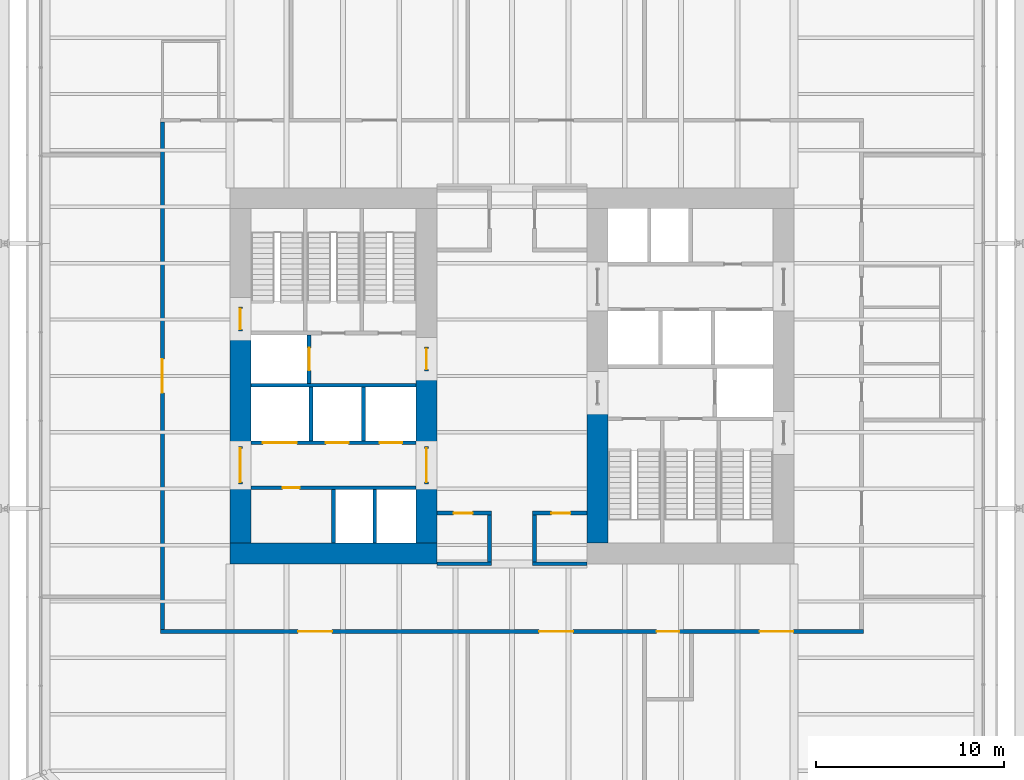
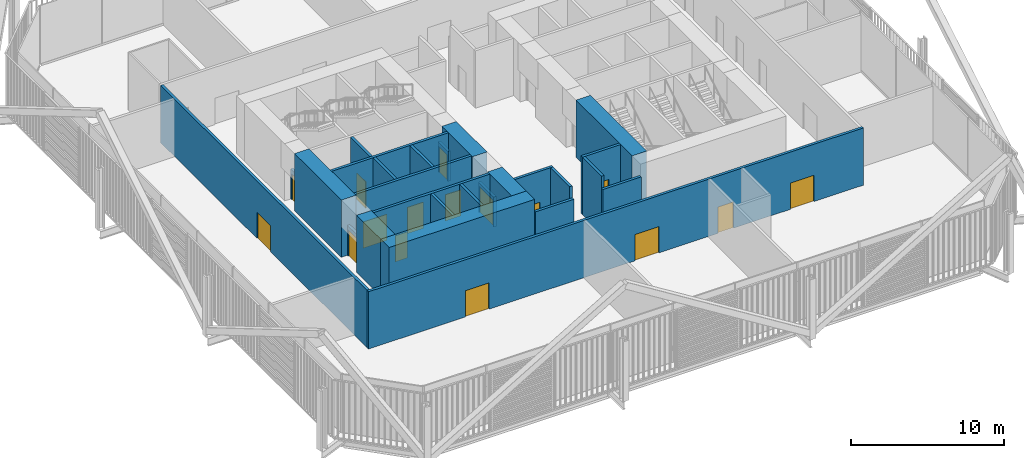
# One storey, part 18 of 22: 26 walls, 16 doors, 16 openings.
"""IFC4 building model written with IfcOpenShell, lengths in metres."""

from ifc_helpers import new_model, si_unit, direction, frame, frame_2d, origin, place, context, subcontext, project, spatial, rectangle, extrude, material, layer, layer_set, type_object, element, fill, save


model = new_model("IFC4")

# Units and contexts
model_context = context("Model", 3, precision=1e-05, world=origin(), true_north=direction((0.0, 1.0)))
body_context = subcontext(model_context, "Body", "Model", "MODEL_VIEW")
ifc_project = project(units=[si_unit("LENGTHUNIT", "METRE"), si_unit("AREAUNIT", "SQUARE_METRE"), si_unit("VOLUMEUNIT", "CUBIC_METRE"), si_unit("PLANEANGLEUNIT", "RADIAN"), si_unit("MASSUNIT", "GRAM", prefix="KILO")], contexts=[model_context])

# Site, building, storey
site_placement = place(None, origin())
site = spatial("IfcSite", under=ifc_project, at=site_placement, CompositionType="ELEMENT")
building_placement = place(site_placement, origin())
building = spatial("IfcBuilding", under=site, at=building_placement, Name="Millrace Tower", CompositionType="ELEMENT")
storey_placement = place(building_placement, frame((0.0, 0.0, 44.89990234375)))
storey = spatial("IfcBuildingStorey", under=building, at=storey_placement, Name="L10", CompositionType="ELEMENT", Elevation=44.89990234375)

# Walls
ifc_material_1 = material(Name="Concrete C80", Category="concrete")
ifc_layer_1 = layer(ifc_material_1, 1.10009765625)
ifc_layer_set_1 = layer_set([ifc_layer_1], Name="Concrete C80")
wall_type_1 = type_object("IfcWallType", Name="Core wall 1100 Concrete C80", PredefinedType="SHEAR", material=ifc_layer_set_1)
wall_1_placement = place(storey_placement, frame((-15.0, -9.449951171875, 0.0), z_axis=(0.0, 0.0, 1.0), x_axis=(1.0, 0.0, 0.0)))
element("IfcWall", 1, at=wall_1_placement, inside=storey, type_object=wall_type_1, Name="Core wall W L10", PredefinedType="SHEAR", context=body_context, shape_type="SweptSolid", body=[
    extrude(rectangle(XDim=11.0, YDim=1.10009765625, at=frame_2d((5.5, 0.0))), origin(), (0.0, 0.0, 1.0), 4.5751953125),
])
wall_2_placement = place(storey_placement, frame((-14.449951171875, -8.89990234375, 0.0), z_axis=(0.0, 0.0, 1.0), x_axis=(0.0, 1.0, 0.0)))
element("IfcWall", 2, at=wall_2_placement, inside=storey, type_object=wall_type_1, Name="Core wall W L10", PredefinedType="SHEAR", context=body_context, shape_type="SweptSolid", body=[
    extrude(rectangle(XDim=3.14990234375, YDim=1.10009765625, at=frame_2d((1.574951171875, 0.0))), origin(), (0.0, 0.0, 1.0), 4.5751953125),
])
wall_3_placement = place(storey_placement, frame((-14.449951171875, -3.75, 0.0), z_axis=(0.0, 0.0, 1.0), x_axis=(0.0, 1.0, 0.0)))
element("IfcWall", 3, at=wall_3_placement, inside=storey, type_object=wall_type_1, Name="Core wall W L10", PredefinedType="SHEAR", context=body_context, shape_type="SweptSolid", body=[
    extrude(rectangle(XDim=6.1298828125, YDim=1.10009765625, at=frame_2d((3.06494140625, 0.0))), origin(), (0.0, 0.0, 1.0), 4.5751953125),
])
wall_4_placement = place(storey_placement, frame((-4.550048828125, -8.89990234375, 0.0), z_axis=(0.0, 0.0, 1.0), x_axis=(0.0, 1.0, 0.0)))
element("IfcWall", 4, at=wall_4_placement, inside=storey, type_object=wall_type_1, Name="Core wall W L10", PredefinedType="SHEAR", context=body_context, shape_type="SweptSolid", body=[
    extrude(rectangle(XDim=3.14990234375, YDim=1.10009765625, at=frame_2d((1.574951171875, 0.0))), origin(), (0.0, 0.0, 1.0), 4.5751953125),
])
wall_5_placement = place(storey_placement, frame((-4.550048828125, -3.75, 0.0), z_axis=(0.0, 0.0, 1.0), x_axis=(0.0, 1.0, 0.0)))
element("IfcWall", 5, at=wall_5_placement, inside=storey, type_object=wall_type_1, Name="Core wall W L10", PredefinedType="SHEAR", context=body_context, shape_type="SweptSolid", body=[
    extrude(rectangle(XDim=4.0, YDim=1.10009765625, at=frame_2d((2.0, 0.0))), origin(), (0.0, 0.0, 1.0), 4.5751953125),
])
wall_6_placement = place(storey_placement, frame((4.550048828125, -1.550048828125, 0.0), z_axis=(0.0, 0.0, 1.0), x_axis=(0.0, -1.0, 0.0)))
element("IfcWall", 6, at=wall_6_placement, inside=storey, type_object=wall_type_1, Name="Core wall E L10", PredefinedType="SHEAR", context=body_context, shape_type="SweptSolid", body=[
    extrude(rectangle(XDim=7.349853515625, YDim=1.10009765625, at=frame_2d((3.6748046875, 0.0))), origin(), (0.0, 0.0, 1.0), 4.5751953125),
])

# Wall, openings, doors
ifc_material_2 = material(Name="Masonry partition, fire-rated", Category="masonry")
ifc_layer_2 = layer(ifc_material_2, 0.199951171875)
ifc_layer_set_2 = layer_set([ifc_layer_2], Name="Masonry partition, fire-rated")
wall_type_2 = type_object("IfcWallType", Name="Corridor wall 200", PredefinedType="PARTITIONING", material=ifc_layer_set_2)
wall_7_placement = place(storey_placement, frame((-18.699951171875, -13.60009765625, 0.0), z_axis=(0.0, 0.0, 1.0), x_axis=(1.0, 0.0, 0.0)))
wall_7 = element("IfcWall", 7, at=wall_7_placement, inside=storey, type_object=wall_type_2, Name="Corridor wall L10", PredefinedType="PARTITIONING", context=body_context, shape_type="SweptSolid", body=[
    extrude(rectangle(XDim=37.39990234375, YDim=0.199951171875, at=frame_2d((18.699951171875, 0.0))), origin(), (0.0, 0.0, 1.0), 4.5751953125),
])
opening_1_placement = place(wall_7_placement, frame((7.324951171875, 0.0, 0.0)))
opening_1 = element("IfcOpeningElement", 8, at=opening_1_placement, cuts=wall_7, Name="Opening 10-P005", PredefinedType="OPENING", context=body_context, shape_type="SweptSolid", body=[
    extrude(rectangle(XDim=1.800048828125, YDim=2.10009765625, at=frame_2d((0.89990234375, 1.050048828125))), frame((0.0, 0.10986328125, 0.0), z_axis=(0.0, -1.0, 0.0), x_axis=(1.0, 0.0, 0.0)), (0.0, 0.0, 1.0), 0.219970703125),
])
opening_2_placement = place(wall_7_placement, frame((20.14990234375, 0.0, 0.0)))
opening_2 = element("IfcOpeningElement", 9, at=opening_2_placement, cuts=wall_7, Name="Opening 10-P006", PredefinedType="OPENING", context=body_context, shape_type="SweptSolid", body=[
    extrude(rectangle(XDim=1.800048828125, YDim=2.10009765625, at=frame_2d((0.89990234375, 1.050048828125))), frame((0.0, 0.10986328125, 0.0), z_axis=(0.0, -1.0, 0.0), x_axis=(1.0, 0.0, 0.0)), (0.0, 0.0, 1.0), 0.219970703125),
])
opening_3_placement = place(wall_7_placement, frame((31.875, 0.0, 0.0)))
opening_3 = element("IfcOpeningElement", 10, at=opening_3_placement, cuts=wall_7, Name="Opening 10-P007", PredefinedType="OPENING", context=body_context, shape_type="SweptSolid", body=[
    extrude(rectangle(XDim=1.800048828125, YDim=2.10009765625, at=frame_2d((0.89990234375, 1.050048828125))), frame((0.0, 0.10986328125, 0.0), z_axis=(0.0, -1.0, 0.0), x_axis=(1.0, 0.0, 0.0)), (0.0, 0.0, 1.0), 0.219970703125),
])
opening_4_placement = place(wall_7_placement, frame((26.39990234375, 0.0, 0.0)))
opening_4 = element("IfcOpeningElement", 11, at=opening_4_placement, cuts=wall_7, Name="Opening 10-P008", PredefinedType="OPENING", context=body_context, shape_type="SweptSolid", body=[
    extrude(rectangle(XDim=1.199951171875, YDim=2.10009765625, at=frame_2d((0.60009765625, 1.050048828125))), frame((0.0, 0.10986328125, 0.0), z_axis=(0.0, -1.0, 0.0), x_axis=(1.0, 0.0, 0.0)), (0.0, 0.0, 1.0), 0.219970703125),
])
ifc_material_3 = material(Name="Steel door set, fire-rated", Category="steel")
door_type_1 = type_object("IfcDoorType", Name="Corridor door 1200 x 2100", OperationType="SINGLE_SWING_LEFT", PredefinedType="DOOR", material=ifc_material_3)
door_1_placement = place(opening_4_placement, frame((1.199951171875, 0.0, 0.0), z_axis=(0.0, 0.0, 1.0), x_axis=(-1.0, 0.0, 0.0)))
door_1 = element("IfcDoor", 12, at=door_1_placement, inside=storey, type_object=door_type_1, Name="Door 10-P008", OperationType="SINGLE_SWING_LEFT", OverallHeight=2.10009765625, OverallWidth=1.199951171875, PredefinedType="DOOR", context=body_context, shape_type="SweptSolid", body=[
    extrude(rectangle(XDim=1.199951171875, YDim=2.10009765625, at=frame_2d((0.60009765625, 1.050048828125))), frame((0.0, 0.02490234375, 0.0), z_axis=(0.0, -1.0, 0.0), x_axis=(1.0, 0.0, 0.0)), (0.0, 0.0, 1.0), 0.050048828125),
])
fill(opening_4, door_1)
ifc_material_4 = material(Name="Steel door set, fire-rated", Category="steel")
door_type_2 = type_object("IfcDoorType", Name="Data hall door 1800 x 2100", OperationType="DOUBLE_DOOR_SINGLE_SWING", PredefinedType="DOOR", material=ifc_material_4)
door_2_placement = place(opening_1_placement, frame((1.800048828125, 0.0, 0.0), z_axis=(0.0, 0.0, 1.0), x_axis=(-1.0, 0.0, 0.0)))
door_2 = element("IfcDoor", 13, at=door_2_placement, inside=storey, type_object=door_type_2, Name="Door 10-P005", OperationType="DOUBLE_DOOR_SINGLE_SWING", OverallHeight=2.10009765625, OverallWidth=1.800048828125, PredefinedType="DOOR", context=body_context, shape_type="SweptSolid", body=[
    extrude(rectangle(XDim=1.800048828125, YDim=2.10009765625, at=frame_2d((0.89990234375, 1.050048828125))), frame((0.0, 0.02490234375, 0.0), z_axis=(0.0, -1.0, 0.0), x_axis=(1.0, 0.0, 0.0)), (0.0, 0.0, 1.0), 0.050048828125),
])
fill(opening_1, door_2)
door_3_placement = place(opening_2_placement, frame((1.800048828125, 0.0, 0.0), z_axis=(0.0, 0.0, 1.0), x_axis=(-1.0, 0.0, 0.0)))
door_3 = element("IfcDoor", 14, at=door_3_placement, inside=storey, type_object=door_type_2, Name="Door 10-P006", OperationType="DOUBLE_DOOR_SINGLE_SWING", OverallHeight=2.10009765625, OverallWidth=1.800048828125, PredefinedType="DOOR", context=body_context, shape_type="SweptSolid", body=[
    extrude(rectangle(XDim=1.800048828125, YDim=2.10009765625, at=frame_2d((0.89990234375, 1.050048828125))), frame((0.0, 0.02490234375, 0.0), z_axis=(0.0, -1.0, 0.0), x_axis=(1.0, 0.0, 0.0)), (0.0, 0.0, 1.0), 0.050048828125),
])
fill(opening_2, door_3)
door_4_placement = place(opening_3_placement, frame((1.800048828125, 0.0, 0.0), z_axis=(0.0, 0.0, 1.0), x_axis=(-1.0, 0.0, 0.0)))
door_4 = element("IfcDoor", 15, at=door_4_placement, inside=storey, type_object=door_type_2, Name="Door 10-P007", OperationType="DOUBLE_DOOR_SINGLE_SWING", OverallHeight=2.10009765625, OverallWidth=1.800048828125, PredefinedType="DOOR", context=body_context, shape_type="SweptSolid", body=[
    extrude(rectangle(XDim=1.800048828125, YDim=2.10009765625, at=frame_2d((0.89990234375, 1.050048828125))), frame((0.0, 0.02490234375, 0.0), z_axis=(0.0, -1.0, 0.0), x_axis=(1.0, 0.0, 0.0)), (0.0, 0.0, 1.0), 0.050048828125),
])
fill(opening_3, door_4)

# Walls
for number, where, z_axis, x_axis, name in (
    (16, (-4.0, -10.0, 0.0), (0.0, 0.0, 1.0), (1.0, 0.0, 0.0), "Corridor wall L10"),
    (17, (1.10009765625, -10.0, 0.0), (0.0, 0.0, 1.0), (1.0, 0.0, 0.0), "Corridor wall L10"),
):
    element("IfcWall", number, at=place(storey_placement, frame(where, z_axis=z_axis, x_axis=x_axis)), inside=storey, type_object=wall_type_2, Name=name, PredefinedType="PARTITIONING", context=body_context, shape_type="SweptSolid", body=[
        extrude(rectangle(XDim=2.89990234375, YDim=0.199951171875, at=frame_2d((1.449951171875, 0.0))), origin(), (0.0, 0.0, 1.0), 3.627685546875),
    ])

# Wall, opening, door
wall_8_placement = place(storey_placement, frame((-4.0, -7.300048828125, 0.0), z_axis=(0.0, 0.0, 1.0), x_axis=(1.0, 0.0, 0.0)))
wall_8 = element("IfcWall", 18, at=wall_8_placement, inside=storey, type_object=wall_type_2, Name="Corridor wall L10", PredefinedType="PARTITIONING", context=body_context, shape_type="SweptSolid", body=[
    extrude(rectangle(XDim=2.89990234375, YDim=0.199951171875, at=frame_2d((1.449951171875, 0.0))), origin(), (0.0, 0.0, 1.0), 4.5751953125),
])
opening_5_placement = place(wall_8_placement, frame((0.89990234375, 0.0, 0.0)))
opening_5 = element("IfcOpeningElement", 19, at=opening_5_placement, cuts=wall_8, Name="Opening 10-P003", PredefinedType="OPENING", context=body_context, shape_type="SweptSolid", body=[
    extrude(rectangle(XDim=1.0, YDim=2.10009765625, at=frame_2d((0.5, 1.050048828125))), frame((0.0, 0.10986328125, 0.0), z_axis=(0.0, -1.0, 0.0), x_axis=(1.0, 0.0, 0.0)), (0.0, 0.0, 1.0), 0.219970703125),
])
ifc_material_5 = material(Name="Steel door set, fire-rated", Category="steel")
door_type_3 = type_object("IfcDoorType", Name="Corridor door 1000 x 2100", OperationType="SINGLE_SWING_LEFT", PredefinedType="DOOR", material=ifc_material_5)
door_5_placement = place(opening_5_placement, frame((1.0, 0.0, 0.0), z_axis=(0.0, 0.0, 1.0), x_axis=(-1.0, 0.0, 0.0)))
door_5 = element("IfcDoor", 20, at=door_5_placement, inside=storey, type_object=door_type_3, Name="Door 10-P003", OperationType="SINGLE_SWING_LEFT", OverallHeight=2.10009765625, OverallWidth=1.0, PredefinedType="DOOR", context=body_context, shape_type="SweptSolid", body=[
    extrude(rectangle(XDim=1.0, YDim=2.10009765625, at=frame_2d((0.5, 1.050048828125))), frame((0.0, 0.02490234375, 0.0), z_axis=(0.0, -1.0, 0.0), x_axis=(1.0, 0.0, 0.0)), (0.0, 0.0, 1.0), 0.050048828125),
])
fill(opening_5, door_5)

wall_9_placement = place(storey_placement, frame((1.10009765625, -7.300048828125, 0.0), z_axis=(0.0, 0.0, 1.0), x_axis=(1.0, 0.0, 0.0)))
wall_9 = element("IfcWall", 21, at=wall_9_placement, inside=storey, type_object=wall_type_2, Name="Corridor wall L10", PredefinedType="PARTITIONING", context=body_context, shape_type="SweptSolid", body=[
    extrude(rectangle(XDim=2.89990234375, YDim=0.199951171875, at=frame_2d((1.449951171875, 0.0))), origin(), (0.0, 0.0, 1.0), 4.5751953125),
])
opening_6_placement = place(wall_9_placement, frame((1.0, 0.0, 0.0)))
opening_6 = element("IfcOpeningElement", 22, at=opening_6_placement, cuts=wall_9, Name="Opening 10-P004", PredefinedType="OPENING", context=body_context, shape_type="SweptSolid", body=[
    extrude(rectangle(XDim=1.0, YDim=2.10009765625, at=frame_2d((0.5, 1.050048828125))), frame((0.0, 0.10986328125, 0.0), z_axis=(0.0, -1.0, 0.0), x_axis=(1.0, 0.0, 0.0)), (0.0, 0.0, 1.0), 0.219970703125),
])
door_6_placement = place(opening_6_placement, frame((1.0, 0.0, 0.0), z_axis=(0.0, 0.0, 1.0), x_axis=(-1.0, 0.0, 0.0)))
door_6 = element("IfcDoor", 23, at=door_6_placement, inside=storey, type_object=door_type_3, Name="Door 10-P004", OperationType="SINGLE_SWING_LEFT", OverallHeight=2.10009765625, OverallWidth=1.0, PredefinedType="DOOR", context=body_context, shape_type="SweptSolid", body=[
    extrude(rectangle(XDim=1.0, YDim=2.10009765625, at=frame_2d((0.5, 1.050048828125))), frame((0.0, 0.02490234375, 0.0), z_axis=(0.0, -1.0, 0.0), x_axis=(1.0, 0.0, 0.0)), (0.0, 0.0, 1.0), 0.050048828125),
])
fill(opening_6, door_6)

# Walls
for number, where, z_axis, x_axis, name in (
    (24, (1.199951171875, -9.89990234375, 0.0), (0.0, 0.0, 1.0), (0.0, 1.0, 0.0), "Corridor wall L10"),
    (25, (-1.199951171875, -9.89990234375, 0.0), (0.0, 0.0, 1.0), (0.0, 1.0, 0.0), "Corridor wall L10"),
):
    element("IfcWall", number, at=place(storey_placement, frame(where, z_axis=z_axis, x_axis=x_axis)), inside=storey, type_object=wall_type_2, Name=name, PredefinedType="PARTITIONING", context=body_context, shape_type="SweptSolid", body=[
        extrude(rectangle(XDim=2.5, YDim=0.199951171875, at=frame_2d((1.25, 0.0))), origin(), (0.0, 0.0, 1.0), 4.5751953125),
    ])

# Wall, opening, door
wall_10_placement = place(storey_placement, frame((-18.60009765625, -13.5, 0.0), z_axis=(0.0, 0.0, 1.0), x_axis=(0.0, 1.0, 0.0)))
wall_10 = element("IfcWall", 26, at=wall_10_placement, inside=storey, type_object=wall_type_2, Name="Corridor wall L10", PredefinedType="PARTITIONING", context=body_context, shape_type="SweptSolid", body=[
    extrude(rectangle(XDim=27.0, YDim=0.199951171875, at=frame_2d((13.5, 0.0))), origin(), (0.0, 0.0, 1.0), 4.5751953125),
])
opening_7_placement = place(wall_10_placement, frame((12.60009765625, 0.0, 0.0)))
opening_7 = element("IfcOpeningElement", 27, at=opening_7_placement, cuts=wall_10, Name="Opening 10-P016", PredefinedType="OPENING", context=body_context, shape_type="SweptSolid", body=[
    extrude(rectangle(XDim=1.800048828125, YDim=2.10009765625, at=frame_2d((0.89990234375, 1.050048828125))), frame((0.0, 0.10986328125, 0.0), z_axis=(0.0, -1.0, 0.0), x_axis=(1.0, 0.0, 0.0)), (0.0, 0.0, 1.0), 0.219970703125),
])
door_7_placement = place(opening_7_placement, origin())
door_7 = element("IfcDoor", 28, at=door_7_placement, inside=storey, type_object=door_type_2, Name="Door 10-P016", OperationType="DOUBLE_DOOR_SINGLE_SWING", OverallHeight=2.10009765625, OverallWidth=1.800048828125, PredefinedType="DOOR", context=body_context, shape_type="SweptSolid", body=[
    extrude(rectangle(XDim=1.800048828125, YDim=2.10009765625, at=frame_2d((0.89990234375, 1.050048828125))), frame((0.0, 0.02490234375, 0.0), z_axis=(0.0, -1.0, 0.0), x_axis=(1.0, 0.0, 0.0)), (0.0, 0.0, 1.0), 0.050048828125),
])
fill(opening_7, door_7)

ifc_material_6 = material(Name="Masonry partition, fire-rated", Category="masonry")
ifc_layer_3 = layer(ifc_material_6, 0.199951171875)
ifc_layer_set_3 = layer_set([ifc_layer_3], Name="Masonry partition, fire-rated")
wall_type_3 = type_object("IfcWallType", Name="Lift shaft wall 200", PredefinedType="PARTITIONING", material=ifc_layer_set_3)
wall_11_placement = place(storey_placement, frame((-13.89990234375, -5.949951171875, 0.0), z_axis=(0.0, 0.0, 1.0), x_axis=(1.0, 0.0, 0.0)))
wall_11 = element("IfcWall", 29, at=wall_11_placement, inside=storey, type_object=wall_type_3, Name="Lift shaft wall W L10", PredefinedType="PARTITIONING", context=body_context, shape_type="SweptSolid", body=[
    extrude(rectangle(XDim=8.7998046875, YDim=0.199951171875, at=frame_2d((4.39990234375, 0.0))), origin(), (0.0, 0.0, 1.0), 4.5751953125),
])
opening_8_placement = place(wall_11_placement, frame((1.699951171875, 0.0, 0.0)))
opening_8 = element("IfcOpeningElement", 30, at=opening_8_placement, cuts=wall_11, Name="Opening 10-C005", PredefinedType="OPENING", context=body_context, shape_type="SweptSolid", body=[
    extrude(rectangle(XDim=0.89990234375, YDim=2.10009765625, at=frame_2d((0.449951171875, 1.050048828125))), frame((0.0, 0.10986328125, 0.0), z_axis=(0.0, -1.0, 0.0), x_axis=(1.0, 0.0, 0.0)), (0.0, 0.0, 1.0), 0.219970703125),
])
ifc_material_7 = material(Name="Steel door, fire-rated", Category="steel")
door_type_4 = type_object("IfcDoorType", Name="Service room door 900 x 2100", OperationType="SINGLE_SWING_LEFT", PredefinedType="DOOR", material=ifc_material_7)
door_8_placement = place(opening_8_placement, frame((0.89990234375, 0.0, 0.0), z_axis=(0.0, 0.0, 1.0), x_axis=(-1.0, 0.0, 0.0)))
door_8 = element("IfcDoor", 31, at=door_8_placement, inside=storey, type_object=door_type_4, Name="Service room door 10-C005", OperationType="SINGLE_SWING_RIGHT", OverallHeight=2.10009765625, OverallWidth=0.89990234375, PredefinedType="DOOR", context=body_context, shape_type="SweptSolid", body=[
    extrude(rectangle(XDim=0.89990234375, YDim=2.10009765625, at=frame_2d((0.449951171875, 1.050048828125))), frame((0.0, 0.02490234375, 0.0), z_axis=(0.0, -1.0, 0.0), x_axis=(1.0, 0.0, 0.0)), (0.0, 0.0, 1.0), 0.050048828125),
])
fill(opening_8, door_8)

# Wall, openings, doors
wall_12_placement = place(storey_placement, frame((-13.89990234375, -3.550048828125, 0.0), z_axis=(0.0, 0.0, 1.0), x_axis=(1.0, 0.0, 0.0)))
wall_12 = element("IfcWall", 32, at=wall_12_placement, inside=storey, type_object=wall_type_3, Name="Lift shaft wall W L10", PredefinedType="PARTITIONING", context=body_context, shape_type="SweptSolid", body=[
    extrude(rectangle(XDim=8.7998046875, YDim=0.199951171875, at=frame_2d((4.39990234375, 0.0))), origin(), (0.0, 0.0, 1.0), 4.5751953125),
])
opening_9_placement = place(wall_12_placement, frame((0.64990234375, 0.0, 0.0)))
opening_9 = element("IfcOpeningElement", 33, at=opening_9_placement, cuts=wall_12, Name="Opening 10-LD05", PredefinedType="OPENING", context=body_context, shape_type="SweptSolid", body=[
    extrude(rectangle(XDim=1.800048828125, YDim=2.10009765625, at=frame_2d((0.89990234375, 1.050048828125))), frame((0.0, 0.10986328125, 0.0), z_axis=(0.0, -1.0, 0.0), x_axis=(1.0, 0.0, 0.0)), (0.0, 0.0, 1.0), 0.219970703125),
])
opening_10_placement = place(wall_12_placement, frame((4.0, 0.0, 0.0)))
opening_10 = element("IfcOpeningElement", 34, at=opening_10_placement, cuts=wall_12, Name="Opening 10-LD06", PredefinedType="OPENING", context=body_context, shape_type="SweptSolid", body=[
    extrude(rectangle(XDim=1.199951171875, YDim=2.10009765625, at=frame_2d((0.60009765625, 1.050048828125))), frame((0.0, 0.10986328125, 0.0), z_axis=(0.0, -1.0, 0.0), x_axis=(1.0, 0.0, 0.0)), (0.0, 0.0, 1.0), 0.219970703125),
])
opening_11_placement = place(wall_12_placement, frame((6.85009765625, 0.0, 0.0)))
opening_11 = element("IfcOpeningElement", 35, at=opening_11_placement, cuts=wall_12, Name="Opening 10-LD07", PredefinedType="OPENING", context=body_context, shape_type="SweptSolid", body=[
    extrude(rectangle(XDim=1.199951171875, YDim=2.10009765625, at=frame_2d((0.60009765625, 1.050048828125))), frame((0.0, 0.10986328125, 0.0), z_axis=(0.0, -1.0, 0.0), x_axis=(1.0, 0.0, 0.0)), (0.0, 0.0, 1.0), 0.219970703125),
])
ifc_material_8 = material(Name="Stainless steel, fire-rated", Category="steel")
door_type_5 = type_object("IfcDoorType", Name="Lift landing door 1200 x 2100", OperationType="DOUBLE_DOOR_SLIDING", PredefinedType="DOOR", material=ifc_material_8)
door_9_placement = place(opening_10_placement, origin())
door_9 = element("IfcDoor", 36, at=door_9_placement, inside=storey, type_object=door_type_5, Name="Lift landing door LF6 L10", OperationType="DOUBLE_DOOR_SLIDING", OverallHeight=2.10009765625, OverallWidth=1.199951171875, PredefinedType="DOOR", context=body_context, shape_type="SweptSolid", body=[
    extrude(rectangle(XDim=1.199951171875, YDim=2.10009765625, at=frame_2d((0.60009765625, 1.050048828125))), frame((0.0, 0.02490234375, 0.0), z_axis=(0.0, -1.0, 0.0), x_axis=(1.0, 0.0, 0.0)), (0.0, 0.0, 1.0), 0.050048828125),
])
fill(opening_10, door_9)
door_10_placement = place(opening_11_placement, origin())
door_10 = element("IfcDoor", 37, at=door_10_placement, inside=storey, type_object=door_type_5, Name="Lift landing door LF7 L10", OperationType="DOUBLE_DOOR_SLIDING", OverallHeight=2.10009765625, OverallWidth=1.199951171875, PredefinedType="DOOR", context=body_context, shape_type="SweptSolid", body=[
    extrude(rectangle(XDim=1.199951171875, YDim=2.10009765625, at=frame_2d((0.60009765625, 1.050048828125))), frame((0.0, 0.02490234375, 0.0), z_axis=(0.0, -1.0, 0.0), x_axis=(1.0, 0.0, 0.0)), (0.0, 0.0, 1.0), 0.050048828125),
])
fill(opening_11, door_10)
ifc_material_9 = material(Name="Stainless steel, fire-rated", Category="steel")
door_type_6 = type_object("IfcDoorType", Name="Lift landing door 1800 x 2100", OperationType="DOUBLE_DOOR_SLIDING", PredefinedType="DOOR", material=ifc_material_9)
door_11_placement = place(opening_9_placement, origin())
door_11 = element("IfcDoor", 38, at=door_11_placement, inside=storey, type_object=door_type_6, Name="Lift landing door LF5 L10", OperationType="DOUBLE_DOOR_SLIDING", OverallHeight=2.10009765625, OverallWidth=1.800048828125, PredefinedType="DOOR", context=body_context, shape_type="SweptSolid", body=[
    extrude(rectangle(XDim=1.800048828125, YDim=2.10009765625, at=frame_2d((0.89990234375, 1.050048828125))), frame((0.0, 0.02490234375, 0.0), z_axis=(0.0, -1.0, 0.0), x_axis=(1.0, 0.0, 0.0)), (0.0, 0.0, 1.0), 0.050048828125),
])
fill(opening_9, door_11)

# Wall
wall_13_placement = place(storey_placement, frame((-13.89990234375, -0.5, 0.0), z_axis=(0.0, 0.0, 1.0), x_axis=(1.0, 0.0, 0.0)))
element("IfcWall", 39, at=wall_13_placement, inside=storey, type_object=wall_type_3, Name="Lift shaft wall W L10", PredefinedType="PARTITIONING", context=body_context, shape_type="SweptSolid", body=[
    extrude(rectangle(XDim=8.7998046875, YDim=0.199951171875, at=frame_2d((4.39990234375, 0.0))), origin(), (0.0, 0.0, 1.0), 4.5751953125),
])

# Wall, opening, door
wall_14_placement = place(storey_placement, frame((-10.800048828125, -0.39990234375, 0.0), z_axis=(0.0, 0.0, 1.0), x_axis=(0.0, 1.0, 0.0)))
wall_14 = element("IfcWall", 40, at=wall_14_placement, inside=storey, type_object=wall_type_3, Name="Lift shaft wall W L10", PredefinedType="PARTITIONING", context=body_context, shape_type="SweptSolid", body=[
    extrude(rectangle(XDim=2.579833984375, YDim=0.199951171875, at=frame_2d((1.2900390625, 0.0))), origin(), (0.0, 0.0, 1.0), 4.5751953125),
])
opening_12_placement = place(wall_14_placement, frame((0.68994140625, 0.0, 0.0)))
opening_12 = element("IfcOpeningElement", 41, at=opening_12_placement, cuts=wall_14, Name="Opening 10-LD08", PredefinedType="OPENING", context=body_context, shape_type="SweptSolid", body=[
    extrude(rectangle(XDim=1.199951171875, YDim=2.10009765625, at=frame_2d((0.60009765625, 1.050048828125))), frame((0.0, 0.10986328125, 0.0), z_axis=(0.0, -1.0, 0.0), x_axis=(1.0, 0.0, 0.0)), (0.0, 0.0, 1.0), 0.219970703125),
])
door_12_placement = place(opening_12_placement, origin())
door_12 = element("IfcDoor", 42, at=door_12_placement, inside=storey, type_object=door_type_5, Name="Lift landing door LF8 L10", OperationType="DOUBLE_DOOR_SLIDING", OverallHeight=2.10009765625, OverallWidth=1.199951171875, PredefinedType="DOOR", context=body_context, shape_type="SweptSolid", body=[
    extrude(rectangle(XDim=1.199951171875, YDim=2.10009765625, at=frame_2d((0.60009765625, 1.050048828125))), frame((0.0, 0.02490234375, 0.0), z_axis=(0.0, -1.0, 0.0), x_axis=(1.0, 0.0, 0.0)), (0.0, 0.0, 1.0), 0.050048828125),
])
fill(opening_12, door_12)

# Walls
for number, where, z_axis, x_axis, name in (
    (43, (-9.5, -8.89990234375, 0.0), (0.0, 0.0, 1.0), (0.0, 1.0, 0.0), "Lift shaft wall W L10"),
    (44, (-7.300048828125, -8.89990234375, 0.0), (0.0, 0.0, 1.0), (0.0, 1.0, 0.0), "Lift shaft wall W L10"),
    (45, (-10.699951171875, -3.449951171875, 0.0), (0.0, 0.0, 1.0), (0.0, 1.0, 0.0), "Lift shaft wall W L10"),
    (46, (-7.89990234375, -3.449951171875, 0.0), (0.0, 0.0, 1.0), (0.0, 1.0, 0.0), "Lift shaft wall W L10"),
):
    element("IfcWall", number, at=place(storey_placement, frame(where, z_axis=z_axis, x_axis=x_axis)), inside=storey, type_object=wall_type_3, Name=name, PredefinedType="PARTITIONING", context=body_context, shape_type="SweptSolid", body=[
        extrude(rectangle(XDim=2.849853515625, YDim=0.199951171875, at=frame_2d((1.4248046875, 0.0))), origin(), (0.0, 0.0, 1.0), 4.5751953125),
    ])

# Wall, opening, door
ifc_material_10 = material(Name="Masonry partition, fire-rated", Category="masonry")
ifc_layer_4 = layer(ifc_material_10, 0.199951171875)
ifc_layer_set_4 = layer_set([ifc_layer_4], Name="Masonry partition, fire-rated")
wall_type_4 = type_object("IfcWallType", Name="Lobby wall 200", PredefinedType="PARTITIONING", material=ifc_layer_set_4)
wall_15_placement = place(storey_placement, frame((-14.449951171875, -5.75, 0.0), z_axis=(0.0, 0.0, 1.0), x_axis=(0.0, 1.0, 0.0)))
wall_15 = element("IfcWall", 47, at=wall_15_placement, inside=storey, type_object=wall_type_4, Name="Lobby wall W L10", PredefinedType="PARTITIONING", context=body_context, shape_type="SweptSolid", body=[
    extrude(rectangle(XDim=2.0, YDim=0.199951171875, at=frame_2d((1.0, 0.0))), origin(), (0.0, 0.0, 1.0), 2.400146484375),
])
opening_13_placement = place(wall_15_placement, frame((0.10009765625, 0.0, 0.0)))
opening_13 = element("IfcOpeningElement", 48, at=opening_13_placement, cuts=wall_15, Name="Opening 10-C001", PredefinedType="OPENING", context=body_context, shape_type="SweptSolid", body=[
    extrude(rectangle(XDim=1.800048828125, YDim=2.10009765625, at=frame_2d((0.89990234375, 1.050048828125))), frame((0.0, 0.10986328125, 0.0), z_axis=(0.0, -1.0, 0.0), x_axis=(1.0, 0.0, 0.0)), (0.0, 0.0, 1.0), 0.219970703125),
])
ifc_material_11 = material(Name="Steel door, fire-rated", Category="steel")
door_type_7 = type_object("IfcDoorType", Name="Lobby door 1800 x 2100", OperationType="DOUBLE_DOOR_SINGLE_SWING", PredefinedType="DOOR", material=ifc_material_11)
door_13_placement = place(opening_13_placement, origin())
door_13 = element("IfcDoor", 49, at=door_13_placement, inside=storey, type_object=door_type_7, Name="Lobby door 10-C001", OperationType="DOUBLE_DOOR_SINGLE_SWING", OverallHeight=2.10009765625, OverallWidth=1.800048828125, PredefinedType="DOOR", context=body_context, shape_type="SweptSolid", body=[
    extrude(rectangle(XDim=1.800048828125, YDim=2.10009765625, at=frame_2d((0.89990234375, 1.050048828125))), frame((0.0, 0.02490234375, 0.0), z_axis=(0.0, -1.0, 0.0), x_axis=(1.0, 0.0, 0.0)), (0.0, 0.0, 1.0), 0.050048828125),
])
fill(opening_13, door_13)

wall_16_placement = place(storey_placement, frame((-4.550048828125, -5.75, 0.0), z_axis=(0.0, 0.0, 1.0), x_axis=(0.0, 1.0, 0.0)))
wall_16 = element("IfcWall", 50, at=wall_16_placement, inside=storey, type_object=wall_type_4, Name="Lobby wall W L10", PredefinedType="PARTITIONING", context=body_context, shape_type="SweptSolid", body=[
    extrude(rectangle(XDim=2.0, YDim=0.199951171875, at=frame_2d((1.0, 0.0))), origin(), (0.0, 0.0, 1.0), 2.400146484375),
])
opening_14_placement = place(wall_16_placement, frame((0.10009765625, 0.0, 0.0)))
opening_14 = element("IfcOpeningElement", 51, at=opening_14_placement, cuts=wall_16, Name="Opening 10-C003", PredefinedType="OPENING", context=body_context, shape_type="SweptSolid", body=[
    extrude(rectangle(XDim=1.800048828125, YDim=2.10009765625, at=frame_2d((0.89990234375, 1.050048828125))), frame((0.0, 0.10986328125, 0.0), z_axis=(0.0, -1.0, 0.0), x_axis=(1.0, 0.0, 0.0)), (0.0, 0.0, 1.0), 0.219970703125),
])
door_14_placement = place(opening_14_placement, origin())
door_14 = element("IfcDoor", 52, at=door_14_placement, inside=storey, type_object=door_type_7, Name="Lobby door 10-C003", OperationType="DOUBLE_DOOR_SINGLE_SWING", OverallHeight=2.10009765625, OverallWidth=1.800048828125, PredefinedType="DOOR", context=body_context, shape_type="SweptSolid", body=[
    extrude(rectangle(XDim=1.800048828125, YDim=2.10009765625, at=frame_2d((0.89990234375, 1.050048828125))), frame((0.0, 0.02490234375, 0.0), z_axis=(0.0, -1.0, 0.0), x_axis=(1.0, 0.0, 0.0)), (0.0, 0.0, 1.0), 0.050048828125),
])
fill(opening_14, door_14)

wall_17_placement = place(storey_placement, frame((-4.550048828125, 0.25, 0.0), z_axis=(0.0, 0.0, 1.0), x_axis=(0.0, 1.0, 0.0)))
wall_17 = element("IfcWall", 53, at=wall_17_placement, inside=storey, type_object=wall_type_4, Name="Lobby wall W L10", PredefinedType="PARTITIONING", context=body_context, shape_type="SweptSolid", body=[
    extrude(rectangle(XDim=1.300048828125, YDim=0.199951171875, at=frame_2d((0.64990234375, 0.0))), origin(), (0.0, 0.0, 1.0), 2.400146484375),
])
opening_15_placement = place(wall_17_placement, frame((0.10009765625, 0.0, 0.0)))
opening_15 = element("IfcOpeningElement", 54, at=opening_15_placement, cuts=wall_17, Name="Opening 10-C004", PredefinedType="OPENING", context=body_context, shape_type="SweptSolid", body=[
    extrude(rectangle(XDim=1.10009765625, YDim=2.10009765625, at=frame_2d((0.550048828125, 1.050048828125))), frame((0.0, 0.10986328125, 0.0), z_axis=(0.0, -1.0, 0.0), x_axis=(1.0, 0.0, 0.0)), (0.0, 0.0, 1.0), 0.219970703125),
])
ifc_material_12 = material(Name="Steel door, fire-rated", Category="steel")
door_type_8 = type_object("IfcDoorType", Name="Lobby door 1100 x 2100", OperationType="SINGLE_SWING_LEFT", PredefinedType="DOOR", material=ifc_material_12)
door_15_placement = place(opening_15_placement, origin())
door_15 = element("IfcDoor", 55, at=door_15_placement, inside=storey, type_object=door_type_8, Name="Lobby door 10-C004", OperationType="SINGLE_SWING_RIGHT", OverallHeight=2.10009765625, OverallWidth=1.10009765625, PredefinedType="DOOR", context=body_context, shape_type="SweptSolid", body=[
    extrude(rectangle(XDim=1.10009765625, YDim=2.10009765625, at=frame_2d((0.550048828125, 1.050048828125))), frame((0.0, 0.02490234375, 0.0), z_axis=(0.0, -1.0, 0.0), x_axis=(1.0, 0.0, 0.0)), (0.0, 0.0, 1.0), 0.050048828125),
])
fill(opening_15, door_15)

ifc_material_13 = material(Name="Concrete C40", Category="concrete")
ifc_layer_5 = layer(ifc_material_13, 0.199951171875)
ifc_layer_set_5 = layer_set([ifc_layer_5], Name="Concrete C40")
wall_type_5 = type_object("IfcWallType", Name="Stair enclosure wall 200 Concrete C40", PredefinedType="SHEAR", material=ifc_layer_set_5)
wall_18_placement = place(storey_placement, frame((-14.449951171875, 2.3798828125, 0.0), z_axis=(0.0, 0.0, 1.0), x_axis=(0.0, 1.0, 0.0)))
wall_18 = element("IfcWall", 56, at=wall_18_placement, inside=storey, type_object=wall_type_5, Name="Stair enclosure wall W L10", PredefinedType="SHEAR", context=body_context, shape_type="SweptSolid", body=[
    extrude(rectangle(XDim=1.300048828125, YDim=0.199951171875, at=frame_2d((0.64990234375, 0.0))), origin(), (0.0, 0.0, 1.0), 2.400146484375),
])
opening_16_placement = place(wall_18_placement, frame((0.10009765625, 0.0, 0.0)))
opening_16 = element("IfcOpeningElement", 57, at=opening_16_placement, cuts=wall_18, Name="Opening 10-C002", PredefinedType="OPENING", context=body_context, shape_type="SweptSolid", body=[
    extrude(rectangle(XDim=1.10009765625, YDim=2.10009765625, at=frame_2d((0.550048828125, 1.050048828125))), frame((0.0, 0.10986328125, 0.0), z_axis=(0.0, -1.0, 0.0), x_axis=(1.0, 0.0, 0.0)), (0.0, 0.0, 1.0), 0.219970703125),
])
ifc_material_14 = material(Name="Steel door, fire-rated", Category="steel")
door_type_9 = type_object("IfcDoorType", Name="Stair door 1100 x 2100", OperationType="SINGLE_SWING_LEFT", PredefinedType="DOOR", material=ifc_material_14)
door_16_placement = place(opening_16_placement, origin())
door_16 = element("IfcDoor", 58, at=door_16_placement, inside=storey, type_object=door_type_9, Name="Stair door 10-C002", OperationType="SINGLE_SWING_LEFT", OverallHeight=2.10009765625, OverallWidth=1.10009765625, PredefinedType="DOOR", context=body_context, shape_type="SweptSolid", body=[
    extrude(rectangle(XDim=1.10009765625, YDim=2.10009765625, at=frame_2d((0.550048828125, 1.050048828125))), frame((0.0, 0.02490234375, 0.0), z_axis=(0.0, -1.0, 0.0), x_axis=(1.0, 0.0, 0.0)), (0.0, 0.0, 1.0), 0.050048828125),
])
fill(opening_16, door_16)

save(model, "model.ifc")
